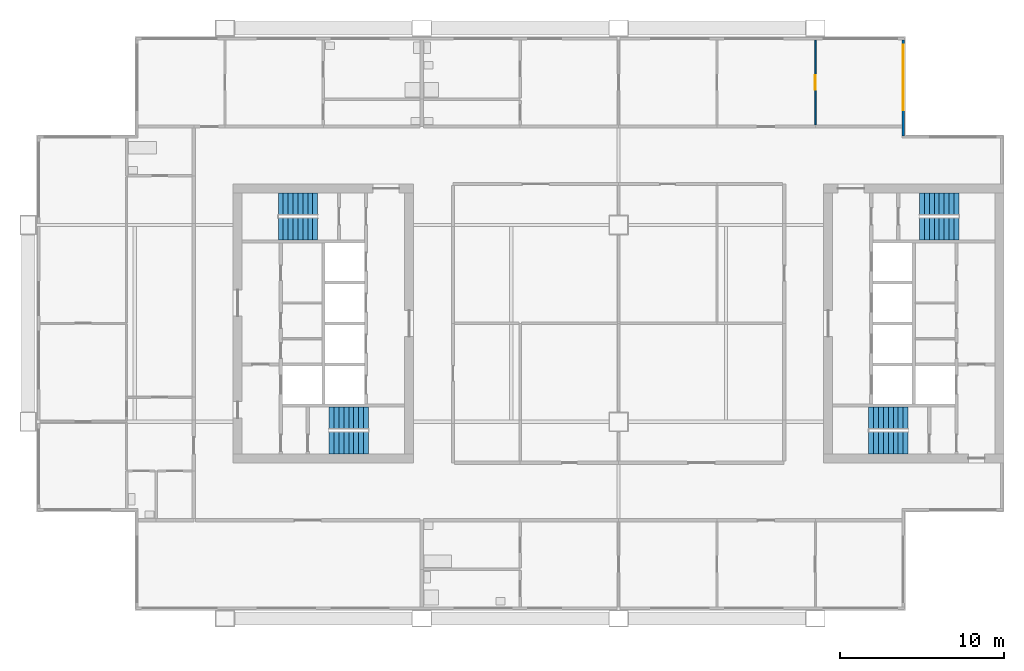
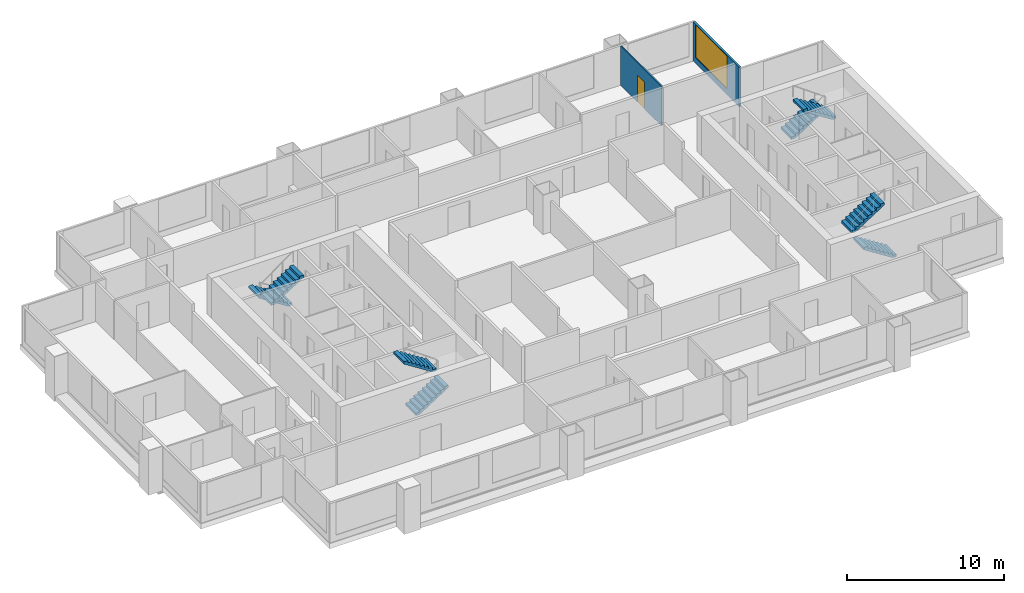
# One storey, part 7 of 9: 8 stair flights, 2 walls, 1 door, 1 window, 2 openings, 4 elements without a shape of their own.
"""IFC4 building model written with IfcOpenShell, lengths in metres."""

from ifc_helpers import new_model, si_unit, direction, frame, frame_2d, origin, place, context, subcontext, project, spatial, polyline, rectangle, outline, extrude, material, layer, layer_set, type_object, element, fill, aggregate, save


model = new_model("IFC4")

# Units and contexts
model_context = context("Model", 3, precision=1e-05, world=origin(), true_north=direction((0.0, 1.0)))
body_context = subcontext(model_context, "Body", "Model", "MODEL_VIEW")
ifc_project = project(units=[si_unit("LENGTHUNIT", "METRE"), si_unit("AREAUNIT", "SQUARE_METRE"), si_unit("VOLUMEUNIT", "CUBIC_METRE"), si_unit("PLANEANGLEUNIT", "RADIAN"), si_unit("MASSUNIT", "GRAM", prefix="KILO")], contexts=[model_context])

# Site, building, storey
site_placement = place(None, origin())
site = spatial("IfcSite", under=ifc_project, at=site_placement, CompositionType="ELEMENT")
building_placement = place(site_placement, origin())
building = spatial("IfcBuilding", under=site, at=building_placement, Name="Kitamizu Gate Tower and Museum", CompositionType="ELEMENT")
storey_placement = place(building_placement, frame((0.0, 0.0, 210.0)))
storey = spatial("IfcBuildingStorey", under=building, at=storey_placement, Name="L56", CompositionType="ELEMENT", Elevation=210.0)

# Wall, opening, door
ifc_material_1 = material(Name="Gypsum board on galvanised stud")
ifc_layer_1 = layer(ifc_material_1, 0.10009765625)
ifc_layer_set_1 = layer_set([ifc_layer_1], Name="Gypsum board on galvanised stud")
wall_type_1 = type_object("IfcWallType", Name="Partition 100 NOT RATED", PredefinedType="PARTITIONING", material=ifc_layer_set_1)
wall_1_placement = place(storey_placement, frame((48.0, 42.10009765625, 0.0), z_axis=(0.0, 0.0, 1.0), x_axis=(0.0, 1.0, 0.0)))
wall_1 = element("IfcWall", 1, at=wall_1_placement, inside=storey, type_object=wall_type_1, Name="Partition L56-032", PredefinedType="PARTITIONING", context=body_context, shape_type="SweptSolid", body=[
    extrude(rectangle(XDim=5.179931640625, YDim=0.10009765625, at=frame_2d((2.58984375, 0.0))), origin(), (0.0, 0.0, 1.0), 3.050048828125),
])
opening_1_placement = place(wall_1_placement, frame((2.139892578125, 0.0, 0.0)))
opening_1 = element("IfcOpeningElement", 2, at=opening_1_placement, cuts=wall_1, Name="Opening L56-016", PredefinedType="OPENING", context=body_context, shape_type="SweptSolid", body=[
    extrude(rectangle(XDim=0.89990234375, YDim=2.10009765625, at=frame_2d((0.449951171875, 1.050048828125))), frame((0.0, 0.06005859375, 0.0), z_axis=(0.0, -1.0, 0.0), x_axis=(1.0, 0.0, 0.0)), (0.0, 0.0, 1.0), 0.1201171875),
])
ifc_material_2 = material(Name="Timber door set", Category="wood")
door_type = type_object("IfcDoorType", Name="Room door 900", OperationType="NOTDEFINED", PredefinedType="DOOR", material=ifc_material_2)
door_placement = place(opening_1_placement, frame((0.89990234375, 0.0, 0.0), x_axis=(-1.0, 0.0, 0.0)))
door = element("IfcDoor", 3, at=door_placement, inside=storey, type_object=door_type, Name="Door L56-016", OperationType="SINGLE_SWING_LEFT", OverallHeight=2.10009765625, OverallWidth=0.89990234375, PredefinedType="DOOR", context=body_context, shape_type="SweptSolid", body=[
    extrude(rectangle(XDim=0.89990234375, YDim=2.10009765625, at=frame_2d((0.449951171875, 1.050048828125))), frame((0.0, 0.02490234375, 0.0), z_axis=(0.0, -1.0, 0.0), x_axis=(1.0, 0.0, 0.0)), (0.0, 0.0, 1.0), 0.050048828125),
])
fill(opening_1, door)

# Wall, opening, window
ifc_material_3 = material(Name="Bronze anodised aluminium frame with insulated spandrel and tinted glass", Category="aluminium")
ifc_layer_2 = layer(ifc_material_3, 0.14990234375)
ifc_layer_set_2 = layer_set([ifc_layer_2], Name="Bronze anodised aluminium frame with insulated spandrel and tinted glass")
wall_type_2 = type_object("IfcWallType", Name="WINDOW WALL 150 BRONZE FRAME EI 30", PredefinedType="ELEMENTEDWALL", material=ifc_layer_set_2)
wall_2_placement = place(storey_placement, frame((53.364990234375, 41.43994140625, 0.0), z_axis=(0.0, 0.0, 1.0), x_axis=(0.0, 1.0, 0.0)))
wall_2 = element("IfcWall", 4, at=wall_2_placement, inside=storey, type_object=wall_type_2, Name="Window wall east L56", PredefinedType="ELEMENTEDWALL", context=body_context, shape_type="SweptSolid", body=[
    extrude(rectangle(XDim=5.85009765625, YDim=0.14990234375, at=frame_2d((2.925048828125, 0.0))), origin(), (0.0, 0.0, 1.0), 3.050048828125),
])
opening_2_placement = place(wall_2_placement, frame((1.56005859375, 0.0, 0.449951171875)))
opening_2 = element("IfcOpeningElement", 5, at=opening_2_placement, cuts=wall_2, Name="Opening W16", PredefinedType="OPENING", context=body_context, shape_type="SweptSolid", body=[
    extrude(rectangle(XDim=4.0, YDim=2.550048828125, at=frame_2d((2.0, 1.27490234375))), frame((0.0, 0.0849609375, 0.0), z_axis=(0.0, -1.0, 0.0), x_axis=(1.0, 0.0, 0.0)), (0.0, 0.0, 1.0), 0.169921875),
])
ifc_material_4 = material(Name="Bronze anodised aluminium frame, tinted triple glazing", Category="aluminium")
window_type = type_object("IfcWindowType", Name="WINDOW 4000 x 2550 SILL 450", PartitioningType="SINGLE_PANEL", PredefinedType="WINDOW", material=ifc_material_4)
window_placement = place(opening_2_placement, origin())
window = element("IfcWindow", 6, at=window_placement, inside=storey, type_object=window_type, Name="Window W16 L56", OverallHeight=2.550048828125, OverallWidth=4.0, PartitioningType="SINGLE_PANEL", PredefinedType="WINDOW", context=body_context, shape_type="SweptSolid", body=[
    extrude(rectangle(XDim=4.0, YDim=2.550048828125, at=frame_2d((2.0, 1.27490234375))), frame((0.0, 0.030029296875, 0.0), z_axis=(0.0, -1.0, 0.0), x_axis=(1.0, 0.0, 0.0)), (0.0, 0.0, 1.0), 0.06005859375),
])
fill(opening_2, window)

# Stair, stair flights
ifc_material_5 = material(Name="Concrete Fc42", Category="concrete")
stair_type = type_object("IfcStairType", Name="Exit stair 1325 wide 192 rise 300 going", PredefinedType="HALF_TURN_STAIR", material=ifc_material_5)
stair_1_placement = place(storey_placement, origin())
stair_1 = element("IfcStair", 7, at=stair_1_placement, inside=storey, type_object=stair_type, Name="Exit stair ST1", PredefinedType="HALF_TURN_STAIR")
ifc_material_6 = material(Name="Concrete Fc42", Category="concrete")
stair_flight_type = type_object("IfcStairFlightType", Name="Stair flight 1325 wide 192 rise 300 going", PredefinedType="STRAIGHT", material=ifc_material_6)
stair_flight_1_placement = place(storey_placement, frame((18.35009765625, 22.71240234375, 0.0), z_axis=(0.0, 0.0, 1.0), x_axis=(1.0, 0.0, 0.0)))
stair_flight_1 = element("IfcStairFlight", 8, at=stair_flight_1_placement, type_object=stair_flight_type, Name="ST1 flight 1", NumberOfRisers=9, NumberOfTreads=8, PredefinedType="STRAIGHT", RiserHeight=0.191666667, TreadLength=0.3, context=body_context, shape_type="SweptSolid", body=[
    extrude(outline(polyline([(0.0, 0.0), (0.0, 0.191650390625), (0.300048828125, 0.191650390625), (0.300048828125, 0.38330078125), (0.60009765625, 0.38330078125), (0.60009765625, 0.574951171875), (0.89990234375, 0.574951171875), (0.89990234375, 0.7666015625), (1.199951171875, 0.7666015625), (1.199951171875, 0.958251953125), (1.5, 0.958251953125), (1.5, 1.14990234375), (1.800048828125, 1.14990234375), (1.800048828125, 1.341552734375), (2.10009765625, 1.341552734375), (2.10009765625, 1.533447265625), (2.39990234375, 1.533447265625), (2.39990234375, 1.72509765625), (2.39990234375, 1.35546875), (0.2783203125, 0.0), (0.0, 0.0)])), frame((0.0, 0.66259765625, 0.0), z_axis=(0.0, -1.0, 0.0), x_axis=(1.0, 0.0, 0.0)), (0.0, 0.0, 1.0), 1.324951171875),
])
stair_flight_2_placement = place(storey_placement, frame((20.75, 24.237548828125, 1.72509765625), z_axis=(0.0, 0.0, 1.0), x_axis=(-1.0, 0.0, 0.0)))
stair_flight_2 = element("IfcStairFlight", 9, at=stair_flight_2_placement, type_object=stair_flight_type, Name="ST1 flight 2", NumberOfRisers=9, NumberOfTreads=8, PredefinedType="STRAIGHT", RiserHeight=0.191666667, TreadLength=0.3, context=body_context, shape_type="SweptSolid", body=[
    extrude(outline(polyline([(0.0, 0.0), (0.0, 0.191650390625), (0.300048828125, 0.191650390625), (0.300048828125, 0.38330078125), (0.60009765625, 0.38330078125), (0.60009765625, 0.574951171875), (0.89990234375, 0.574951171875), (0.89990234375, 0.7666015625), (1.199951171875, 0.7666015625), (1.199951171875, 0.958251953125), (1.5, 0.958251953125), (1.5, 1.14990234375), (1.800048828125, 1.14990234375), (1.800048828125, 1.341552734375), (2.10009765625, 1.341552734375), (2.10009765625, 1.533447265625), (2.39990234375, 1.533447265625), (2.39990234375, 1.72509765625), (2.39990234375, 1.35546875), (0.2783203125, 0.0), (0.0, 0.0)])), frame((0.0, 0.66259765625, 0.0), z_axis=(0.0, -1.0, 0.0), x_axis=(1.0, 0.0, 0.0)), (0.0, 0.0, 1.0), 1.324951171875),
])
aggregate(stair_1, [stair_flight_1, stair_flight_2])

stair_2_placement = place(storey_placement, origin())
stair_2 = element("IfcStair", 10, at=stair_2_placement, inside=storey, type_object=stair_type, Name="Exit stair ST2", PredefinedType="HALF_TURN_STAIR")
stair_flight_3_placement = place(storey_placement, frame((17.64990234375, 37.28759765625, 0.0), z_axis=(0.0, 0.0, 1.0), x_axis=(-1.0, 0.0, 0.0)))
stair_flight_3 = element("IfcStairFlight", 11, at=stair_flight_3_placement, type_object=stair_flight_type, Name="ST2 flight 1", NumberOfRisers=9, NumberOfTreads=8, PredefinedType="STRAIGHT", RiserHeight=0.191666667, TreadLength=0.3, context=body_context, shape_type="SweptSolid", body=[
    extrude(outline(polyline([(0.0, 0.0), (0.0, 0.191650390625), (0.300048828125, 0.191650390625), (0.300048828125, 0.38330078125), (0.60009765625, 0.38330078125), (0.60009765625, 0.574951171875), (0.89990234375, 0.574951171875), (0.89990234375, 0.7666015625), (1.199951171875, 0.7666015625), (1.199951171875, 0.958251953125), (1.5, 0.958251953125), (1.5, 1.14990234375), (1.800048828125, 1.14990234375), (1.800048828125, 1.341552734375), (2.10009765625, 1.341552734375), (2.10009765625, 1.533447265625), (2.39990234375, 1.533447265625), (2.39990234375, 1.72509765625), (2.39990234375, 1.35546875), (0.2783203125, 0.0), (0.0, 0.0)])), frame((0.0, 0.66259765625, 0.0), z_axis=(0.0, -1.0, 0.0), x_axis=(1.0, 0.0, 0.0)), (0.0, 0.0, 1.0), 1.324951171875),
])
stair_flight_4_placement = place(storey_placement, frame((15.25, 35.762451171875, 1.72509765625), z_axis=(0.0, 0.0, 1.0), x_axis=(1.0, 0.0, 0.0)))
stair_flight_4 = element("IfcStairFlight", 12, at=stair_flight_4_placement, type_object=stair_flight_type, Name="ST2 flight 2", NumberOfRisers=9, NumberOfTreads=8, PredefinedType="STRAIGHT", RiserHeight=0.191666667, TreadLength=0.3, context=body_context, shape_type="SweptSolid", body=[
    extrude(outline(polyline([(0.0, 0.0), (0.0, 0.191650390625), (0.300048828125, 0.191650390625), (0.300048828125, 0.38330078125), (0.60009765625, 0.38330078125), (0.60009765625, 0.574951171875), (0.89990234375, 0.574951171875), (0.89990234375, 0.7666015625), (1.199951171875, 0.7666015625), (1.199951171875, 0.958251953125), (1.5, 0.958251953125), (1.5, 1.14990234375), (1.800048828125, 1.14990234375), (1.800048828125, 1.341552734375), (2.10009765625, 1.341552734375), (2.10009765625, 1.533447265625), (2.39990234375, 1.533447265625), (2.39990234375, 1.72509765625), (2.39990234375, 1.35546875), (0.2783203125, 0.0), (0.0, 0.0)])), frame((0.0, 0.66259765625, 0.0), z_axis=(0.0, -1.0, 0.0), x_axis=(1.0, 0.0, 0.0)), (0.0, 0.0, 1.0), 1.324951171875),
])
aggregate(stair_2, [stair_flight_3, stair_flight_4])

stair_3_placement = place(storey_placement, origin())
stair_3 = element("IfcStair", 13, at=stair_3_placement, inside=storey, type_object=stair_type, Name="Exit stair ST3", PredefinedType="HALF_TURN_STAIR")
stair_flight_5_placement = place(storey_placement, frame((53.64990234375, 22.71240234375, 0.0), z_axis=(0.0, 0.0, 1.0), x_axis=(-1.0, 0.0, 0.0)))
stair_flight_5 = element("IfcStairFlight", 14, at=stair_flight_5_placement, type_object=stair_flight_type, Name="ST3 flight 1", NumberOfRisers=9, NumberOfTreads=8, PredefinedType="STRAIGHT", RiserHeight=0.191666667, TreadLength=0.3, context=body_context, shape_type="SweptSolid", body=[
    extrude(outline(polyline([(0.0, 0.0), (0.0, 0.191650390625), (0.300048828125, 0.191650390625), (0.300048828125, 0.38330078125), (0.60009765625, 0.38330078125), (0.60009765625, 0.574951171875), (0.89990234375, 0.574951171875), (0.89990234375, 0.7666015625), (1.199951171875, 0.7666015625), (1.199951171875, 0.958251953125), (1.5, 0.958251953125), (1.5, 1.14990234375), (1.800048828125, 1.14990234375), (1.800048828125, 1.341552734375), (2.10009765625, 1.341552734375), (2.10009765625, 1.533447265625), (2.39990234375, 1.533447265625), (2.39990234375, 1.72509765625), (2.39990234375, 1.35546875), (0.2783203125, 0.0), (0.0, 0.0)])), frame((0.0, 0.66259765625, 0.0), z_axis=(0.0, -1.0, 0.0), x_axis=(1.0, 0.0, 0.0)), (0.0, 0.0, 1.0), 1.324951171875),
])
stair_flight_6_placement = place(storey_placement, frame((51.25, 24.237548828125, 1.72509765625), z_axis=(0.0, 0.0, 1.0), x_axis=(1.0, 0.0, 0.0)))
stair_flight_6 = element("IfcStairFlight", 15, at=stair_flight_6_placement, type_object=stair_flight_type, Name="ST3 flight 2", NumberOfRisers=9, NumberOfTreads=8, PredefinedType="STRAIGHT", RiserHeight=0.191666667, TreadLength=0.3, context=body_context, shape_type="SweptSolid", body=[
    extrude(outline(polyline([(0.0, 0.0), (0.0, 0.191650390625), (0.300048828125, 0.191650390625), (0.300048828125, 0.38330078125), (0.60009765625, 0.38330078125), (0.60009765625, 0.574951171875), (0.89990234375, 0.574951171875), (0.89990234375, 0.7666015625), (1.199951171875, 0.7666015625), (1.199951171875, 0.958251953125), (1.5, 0.958251953125), (1.5, 1.14990234375), (1.800048828125, 1.14990234375), (1.800048828125, 1.341552734375), (2.10009765625, 1.341552734375), (2.10009765625, 1.533447265625), (2.39990234375, 1.533447265625), (2.39990234375, 1.72509765625), (2.39990234375, 1.35546875), (0.2783203125, 0.0), (0.0, 0.0)])), frame((0.0, 0.66259765625, 0.0), z_axis=(0.0, -1.0, 0.0), x_axis=(1.0, 0.0, 0.0)), (0.0, 0.0, 1.0), 1.324951171875),
])
aggregate(stair_3, [stair_flight_5, stair_flight_6])

stair_4_placement = place(storey_placement, origin())
stair_4 = element("IfcStair", 16, at=stair_4_placement, inside=storey, type_object=stair_type, Name="Exit stair ST4", PredefinedType="HALF_TURN_STAIR")
stair_flight_7_placement = place(storey_placement, frame((54.35009765625, 37.28759765625, 0.0), z_axis=(0.0, 0.0, 1.0), x_axis=(1.0, 0.0, 0.0)))
stair_flight_7 = element("IfcStairFlight", 17, at=stair_flight_7_placement, type_object=stair_flight_type, Name="ST4 flight 1", NumberOfRisers=9, NumberOfTreads=8, PredefinedType="STRAIGHT", RiserHeight=0.191666667, TreadLength=0.3, context=body_context, shape_type="SweptSolid", body=[
    extrude(outline(polyline([(0.0, 0.0), (0.0, 0.191650390625), (0.300048828125, 0.191650390625), (0.300048828125, 0.38330078125), (0.60009765625, 0.38330078125), (0.60009765625, 0.574951171875), (0.89990234375, 0.574951171875), (0.89990234375, 0.7666015625), (1.199951171875, 0.7666015625), (1.199951171875, 0.958251953125), (1.5, 0.958251953125), (1.5, 1.14990234375), (1.800048828125, 1.14990234375), (1.800048828125, 1.341552734375), (2.10009765625, 1.341552734375), (2.10009765625, 1.533447265625), (2.39990234375, 1.533447265625), (2.39990234375, 1.72509765625), (2.39990234375, 1.35546875), (0.2783203125, 0.0), (0.0, 0.0)])), frame((0.0, 0.66259765625, 0.0), z_axis=(0.0, -1.0, 0.0), x_axis=(1.0, 0.0, 0.0)), (0.0, 0.0, 1.0), 1.324951171875),
])
stair_flight_8_placement = place(storey_placement, frame((56.75, 35.762451171875, 1.72509765625), z_axis=(0.0, 0.0, 1.0), x_axis=(-1.0, 0.0, 0.0)))
stair_flight_8 = element("IfcStairFlight", 18, at=stair_flight_8_placement, type_object=stair_flight_type, Name="ST4 flight 2", NumberOfRisers=9, NumberOfTreads=8, PredefinedType="STRAIGHT", RiserHeight=0.191666667, TreadLength=0.3, context=body_context, shape_type="SweptSolid", body=[
    extrude(outline(polyline([(0.0, 0.0), (0.0, 0.191650390625), (0.300048828125, 0.191650390625), (0.300048828125, 0.38330078125), (0.60009765625, 0.38330078125), (0.60009765625, 0.574951171875), (0.89990234375, 0.574951171875), (0.89990234375, 0.7666015625), (1.199951171875, 0.7666015625), (1.199951171875, 0.958251953125), (1.5, 0.958251953125), (1.5, 1.14990234375), (1.800048828125, 1.14990234375), (1.800048828125, 1.341552734375), (2.10009765625, 1.341552734375), (2.10009765625, 1.533447265625), (2.39990234375, 1.533447265625), (2.39990234375, 1.72509765625), (2.39990234375, 1.35546875), (0.2783203125, 0.0), (0.0, 0.0)])), frame((0.0, 0.66259765625, 0.0), z_axis=(0.0, -1.0, 0.0), x_axis=(1.0, 0.0, 0.0)), (0.0, 0.0, 1.0), 1.324951171875),
])
aggregate(stair_4, [stair_flight_7, stair_flight_8])

save(model, "model.ifc")
